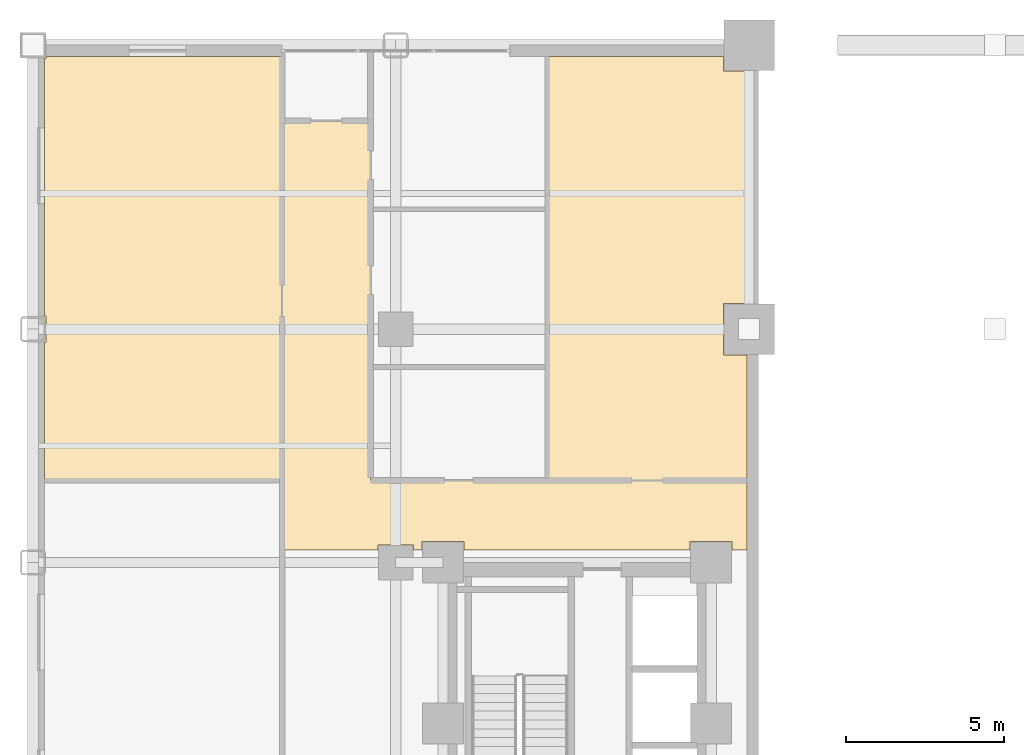
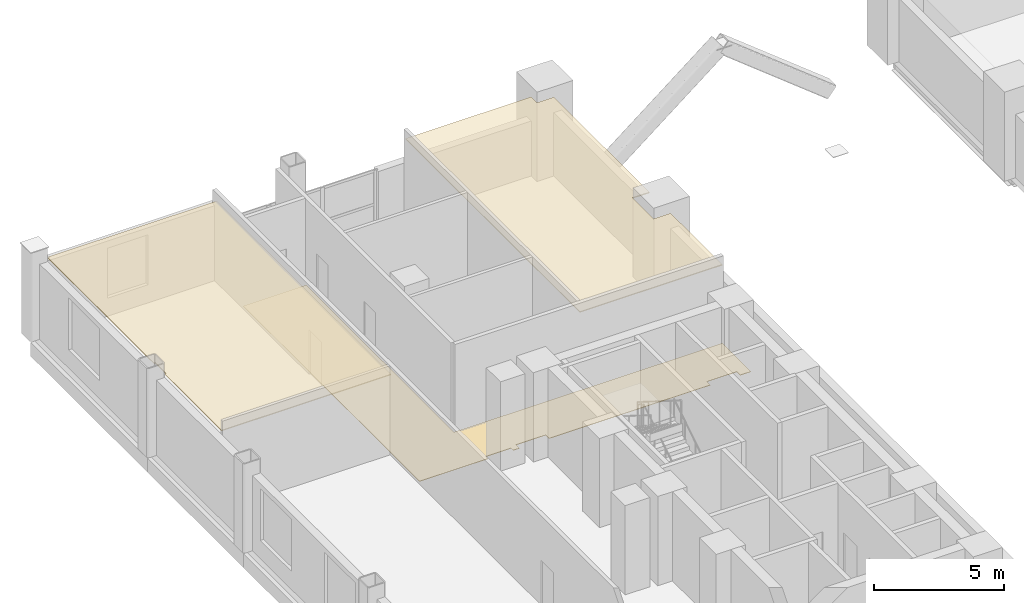
# One storey, part 13 of 14: 3 coverings.
"""IFC4 building model written with IfcOpenShell, lengths in metres."""

from ifc_helpers import new_model, si_unit, direction, frame, origin, place, context, subcontext, project, spatial, polyline, outline, extrude, material, layer, layer_set, type_object, element, save


model = new_model("IFC4")

# Units and contexts
model_context = context("Model", 3, precision=1e-05, world=origin(), true_north=direction((0.0, 1.0)))
body_context = subcontext(model_context, "Body", "Model", "MODEL_VIEW")
ifc_project = project(units=[si_unit("LENGTHUNIT", "METRE"), si_unit("AREAUNIT", "SQUARE_METRE"), si_unit("VOLUMEUNIT", "CUBIC_METRE"), si_unit("PLANEANGLEUNIT", "RADIAN"), si_unit("MASSUNIT", "GRAM", prefix="KILO")], contexts=[model_context])

# Site, building, storey
site_placement = place(None, origin())
site = spatial("IfcSite", under=ifc_project, at=site_placement, CompositionType="ELEMENT")
building_placement = place(site_placement, origin())
building = spatial("IfcBuilding", under=site, at=building_placement, Name="Nuvemarco Arch Tower", CompositionType="ELEMENT")
storey_placement = place(building_placement, frame((0.0, 0.0, 13.800048828125)))
storey = spatial("IfcBuildingStorey", under=building, at=storey_placement, Name="L03", CompositionType="ELEMENT", Elevation=13.800048828125)

# Coverings
ifc_material_1 = material(Name="Mineral acoustic ceiling tile")
ifc_layer_1 = layer(ifc_material_1, 0.0400390625, Name="COV-ACOUSTIC-CLG")
ifc_layer_set_1 = layer_set([ifc_layer_1], Name="Mineral acoustic ceiling tile")
covering_type_1 = type_object("IfcCoveringType", Name="COV-ACOUSTIC-CLG", PredefinedType="CEILING", material=ifc_layer_set_1)
covering_1_placement = place(storey_placement, frame((0.0, 0.0, 3.679931640625)))
element("IfcCovering", 1, at=covering_1_placement, inside=storey, type_object=covering_type_1, Name="L03 suspended acoustic ceiling 5", PredefinedType="CEILING", context=body_context, shape_type="SweptSolid", body=[
    extrude(outline(polyline([(-30.0849609375, 25.5849609375), (-30.0849609375, 25.639892578125), (-22.60009765625, 25.639892578125), (-22.60009765625, 23.60009765625), (-22.60009765625, 12.199951171875), (-30.139892578125, 12.199951171875), (-30.139892578125, 16.5849609375), (-30.0849609375, 16.5849609375), (-30.0849609375, 17.4150390625), (-30.139892578125, 17.4150390625), (-30.139892578125, 25.5849609375), (-30.0849609375, 25.5849609375)])), origin(), (0.0, 0.0, 1.0), 0.0400390625),
])
covering_2_placement = place(storey_placement, frame((0.0, 0.0, 3.679931640625)))
element("IfcCovering", 2, at=covering_2_placement, inside=storey, type_object=covering_type_1, Name="L03 suspended acoustic ceiling 7", PredefinedType="CEILING", context=body_context, shape_type="SweptSolid", body=[
    extrude(outline(polyline([(-8.614990234375, 25.18505859375), (-7.860107421875, 25.18505859375), (-7.860107421875, 17.81494140625), (-8.614990234375, 17.81494140625), (-8.614990234375, 16.18505859375), (-7.860107421875, 16.18505859375), (-7.860107421875, 12.199951171875), (-14.199951171875, 12.199951171875), (-14.199951171875, 15.800048828125), (-14.199951171875, 20.800048828125), (-14.199951171875, 25.639892578125), (-8.614990234375, 25.639892578125), (-8.614990234375, 25.18505859375)])), origin(), (0.0, 0.0, 1.0), 0.0400390625),
])
ifc_material_2 = material(Name="Polished granite terrazzostone flooring", Category="masonry")
ifc_layer_2 = layer(ifc_material_2, 0.02001953125, Name="COV-LOBBY-FLR")
ifc_layer_set_2 = layer_set([ifc_layer_2], Name="Polished granite terrazzostone flooring")
covering_type_2 = type_object("IfcCoveringType", Name="COV-LOBBY-FLR", PredefinedType="FLOORING", material=ifc_layer_set_2)
covering_3_placement = place(storey_placement, origin())
element("IfcCovering", 3, at=covering_3_placement, inside=storey, type_object=covering_type_2, Name="L03 polished terrazzo lobby flooring", PredefinedType="FLOORING", context=body_context, shape_type="SweptSolid", body=[
    extrude(outline(polyline([(-22.60009765625, 23.60009765625), (-19.800048828125, 23.60009765625), (-19.800048828125, 12.199951171875), (-7.860107421875, 12.199951171875), (-7.860107421875, 10.0), (-8.3349609375, 10.0), (-8.3349609375, 10.264892578125), (-9.6650390625, 10.264892578125), (-9.6650390625, 10.0), (-16.8349609375, 10.0), (-16.8349609375, 10.264892578125), (-18.1650390625, 10.264892578125), (-18.1650390625, 10.0), (-18.43505859375, 10.0), (-18.43505859375, 10.1650390625), (-19.56494140625, 10.1650390625), (-19.56494140625, 10.0), (-22.60009765625, 10.0), (-22.60009765625, 12.199951171875), (-22.60009765625, 23.60009765625)])), origin(), (0.0, 0.0, 1.0), 0.02001953125),
])

save(model, "model.ifc")
